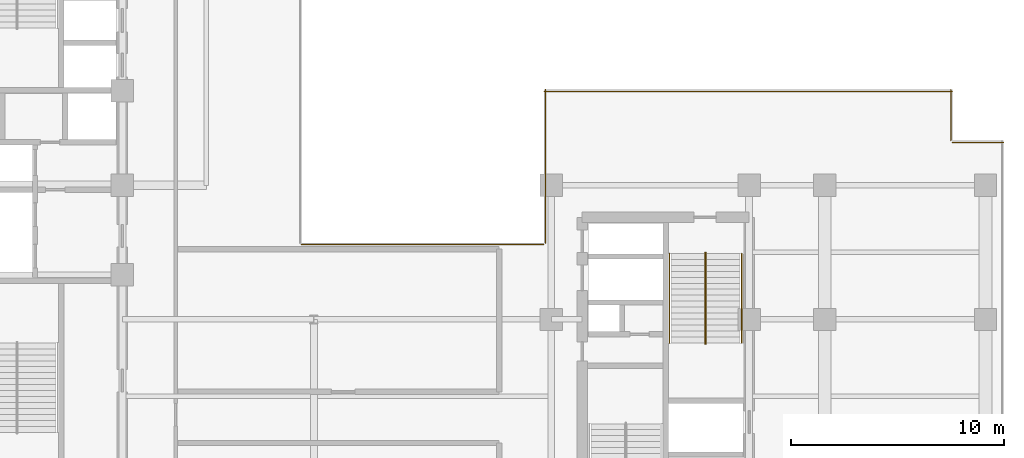
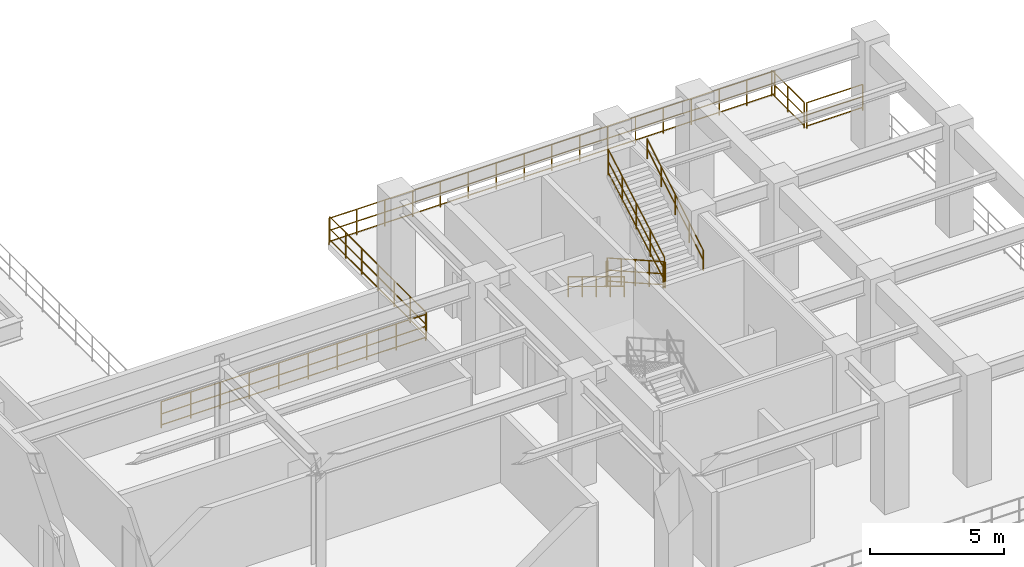
# One storey, part 14 of 16: 11 railings.
"""IFC4 building model written with IfcOpenShell, lengths in metres."""

import ifcopenshell
import ifcopenshell.guid

model = None  # the IFC model being written
_history = None  # IfcOwnerHistory: only IFC2X3 demands one
_inside = {}  # id of a spatial element -> (the spatial element, [elements in it])
_under = {}  # id of a project, library or spatial element -> (it, [spatial elements below it])
_declared = {}  # id of a project -> (the project, [libraries it declares])
_typed = {}  # id of a type object -> (the type object, [elements of that type])
_made_of = {}  # id of a material, layer set ... -> (it, [elements and type objects made of it])


def new_model(schema):
    """Start an empty IFC model of exactly this schema.

    Asked for "IFC4X3", IfcOpenShell would pick the latest addendum, in which some entities
    have other attributes; the version numbers below select the first issue.
    IFC2X3 requires an IfcOwnerHistory on every rooted entity: one is made here for all.
    """
    global model, _history
    if schema == "IFC4X3":
        model = ifcopenshell.file(schema_version=(4, 3, 0, 0))
    else:
        model = ifcopenshell.file(schema=schema)
    _inside.clear()
    _under.clear()
    _declared.clear()
    _typed.clear()
    _made_of.clear()
    _history = None
    if model.schema == "IFC2X3":
        org = make("IfcOrganization", Name="unknown")
        user = make(
            "IfcPersonAndOrganization",
            ThePerson=make("IfcPerson", FamilyName="unknown"),
            TheOrganization=org,
        )
        app = make(
            "IfcApplication",
            ApplicationDeveloper=org,
            Version="unknown",
            ApplicationFullName="unknown",
            ApplicationIdentifier="unknown",
        )
        _history = make(
            "IfcOwnerHistory",
            OwningUser=user,
            OwningApplication=app,
            ChangeAction="ADDED",
            CreationDate=0,
        )
    return model


def make(cls, **values):
    """One entity of the class cls with the attributes given. An attribute that is None is left unset."""
    return model.create_entity(
        cls, **{name: value for name, value in values.items() if value is not None}
    )


def entity(cls, *values):
    """Any entity or typed value of the class cls, its attributes in the order of the schema. None: left unset."""
    e = model.create_entity(cls)
    for i, value in enumerate(values):
        if value is not None:
            e[i] = value
    return e


def rooted(cls, **values):
    """An entity with a GlobalId (a new one), such as an element, a storey or a relation."""
    return make(cls, GlobalId=ifcopenshell.guid.new(), OwnerHistory=_history, **values)


def si_unit(unit_type, name, prefix=None):
    """IfcSIUnit, for example si_unit("LENGTHUNIT", "METRE", prefix="MILLI")."""
    return make("IfcSIUnit", UnitType=unit_type, Prefix=prefix, Name=name)


def converted_unit(unit_type, name, factor, base, dimensions=None, offset=None):
    """IfcConversionBasedUnit, such as the inch: factor (a typed value) times the base unit."""
    return make(
        "IfcConversionBasedUnit"
        if offset is None
        else "IfcConversionBasedUnitWithOffset",
        ConversionOffset=offset,
        Dimensions=None
        if dimensions is None
        else entity("IfcDimensionalExponents", *dimensions),
        UnitType=unit_type,
        Name=name,
        ConversionFactor=make(
            "IfcMeasureWithUnit", ValueComponent=factor, UnitComponent=base
        ),
    )


def assignment(units):
    """IfcUnitAssignment: the units of a project."""
    return None if units is None else make("IfcUnitAssignment", Units=units)


def point(xyz):
    """IfcCartesianPoint."""
    return None if xyz is None else make("IfcCartesianPoint", Coordinates=xyz)


def direction(xyz):
    """IfcDirection."""
    return None if xyz is None else make("IfcDirection", DirectionRatios=xyz)


def frame(location, z_axis=None, x_axis=None):
    """IfcAxis2Placement3D, a coordinate frame: its origin and axes. An axis left out is left unset."""
    return make(
        "IfcAxis2Placement3D",
        Location=point(location),
        Axis=direction(z_axis),
        RefDirection=direction(x_axis),
    )


def frame_2d(location, x_axis=None):
    """IfcAxis2Placement2D, a coordinate frame in the plane: its origin and x axis."""
    return make(
        "IfcAxis2Placement2D", Location=point(location), RefDirection=direction(x_axis)
    )


def origin_with_axes():
    """The frame at (0, 0, 0) with the z axis (0, 0, 1) and the x axis (1, 0, 0) written out."""
    return frame((0.0, 0.0, 0.0), z_axis=(0.0, 0.0, 1.0), x_axis=(1.0, 0.0, 0.0))


def origin_2d_with_axis():
    """The frame at (0, 0) in the plane with the x axis (1, 0) written out."""
    return frame_2d((0.0, 0.0), x_axis=(1.0, 0.0))


def place(relative_to, where):
    """IfcLocalPlacement: puts the frame where relative to a parent placement (None: the world)."""
    return make(
        "IfcLocalPlacement", PlacementRelTo=relative_to, RelativePlacement=where
    )


def context(
    kind, dimensions, precision=None, world=None, true_north=None, identifier=None
):
    """IfcGeometricRepresentationContext, for example the 3D "Model" context."""
    return make(
        "IfcGeometricRepresentationContext",
        ContextIdentifier=identifier,
        ContextType=kind,
        CoordinateSpaceDimension=dimensions,
        Precision=precision,
        WorldCoordinateSystem=world,
        TrueNorth=true_north,
    )


def subcontext(parent, identifier, kind, view, scale=None):
    """IfcGeometricRepresentationSubContext, for example "Body" below "Model"."""
    return make(
        "IfcGeometricRepresentationSubContext",
        ContextIdentifier=identifier,
        ContextType=kind,
        ParentContext=parent,
        TargetScale=scale,
        TargetView=view,
    )


def project(units=None, contexts=None):
    """IfcProject with its units and contexts."""
    return rooted(
        "IfcProject",
        Name="project",
        RepresentationContexts=contexts,
        UnitsInContext=assignment(units),
    )


def spatial(cls, under=None, at=None, **own):
    """A site, building, storey or space (cls), placed at a placement, below another one or the project."""
    s = rooted(cls, ObjectPlacement=at, **own)
    if under is not None:
        _under.setdefault(under.id(), (under, []))[1].append(s)
    return s


def profile(cls, at=None, kind="AREA", **sizes):
    """A parametric profile (cls). Its sizes go by their IFC names, for example OverallWidth=200.0."""
    return make(cls, ProfileType=kind, Position=at, **sizes)


def rectangle(**sizes):
    """IfcRectangleProfileDef."""
    return profile("IfcRectangleProfileDef", **sizes)


def circle(**sizes):
    """IfcCircleProfileDef."""
    return profile("IfcCircleProfileDef", **sizes)


def extrude(swept, where, along, depth):
    """IfcExtrudedAreaSolid: the profile swept, set in the frame where, extruded along a direction by depth."""
    return make(
        "IfcExtrudedAreaSolid",
        SweptArea=swept,
        Position=where,
        ExtrudedDirection=direction(along),
        Depth=depth,
    )


def shape(context_of_items, identifier, shape_type, items):
    """IfcShapeRepresentation: the items that make up one representation, for example the "Body"."""
    return make(
        "IfcShapeRepresentation",
        ContextOfItems=context_of_items,
        RepresentationIdentifier=identifier,
        RepresentationType=shape_type,
        Items=items,
    )


def material(Name=None, Category=None):
    """IfcMaterial."""
    return make("IfcMaterial", Name=Name, Category=Category)


def made_of(thing, what):
    """Note that an element or type object is made of a material, layer set ...; save() writes the relation."""
    if what is not None:
        _made_of.setdefault(what.id(), (what, []))[1].append(thing)
    return thing


def type_object(cls, material=None, **own):
    """A type object (cls), such as IfcWallType, which elements share."""
    return made_of(rooted(cls, **own), material)


def element(
    cls,
    number,
    at=None,
    inside=None,
    cuts=None,
    type_object=None,
    material=None,
    context=None,
    identifier="Body",
    shape_type=None,
    held_by="IfcProductDefinitionShape",
    body=None,
    shapes=None,
    **own,
):
    """One element of the class cls, such as IfcWall. Its Tag is "e" and its number.

    at: its placement. inside: the storey or other place that contains it. cuts: it is an
    opening in that element (IfcRelVoidsElement). A single representation is given by context,
    identifier, shape_type and body (its items); several are given by shapes. held_by: the class
    of the entity that holds the representations. save() writes the other relations.
    """
    e = rooted(cls, Tag="e%d" % number, ObjectPlacement=at, **own)
    if body is not None:
        shapes = [shape(context, identifier, shape_type, body)]
    if shapes is not None:
        e.Representation = make(held_by, Representations=shapes)
    if inside is not None:
        _inside.setdefault(inside.id(), (inside, []))[1].append(e)
    if cuts is not None:
        rooted(
            "IfcRelVoidsElement", RelatingBuildingElement=cuts, RelatedOpeningElement=e
        )
    if type_object is not None:
        _typed.setdefault(type_object.id(), (type_object, []))[1].append(e)
    return made_of(e, material)


def aggregate(whole, parts):
    """IfcRelAggregates: a whole, such as a stair, and the parts it consists of."""
    return rooted("IfcRelAggregates", RelatingObject=whole, RelatedObjects=parts)


def save(model, path):
    """Write the relations noted so far, then the file.

    IfcRelAggregates (storeys below a building ...), IfcRelContainedInSpatialStructure (elements
    in a storey), IfcRelDefinesByType, IfcRelAssociatesMaterial and IfcRelDeclares: one each for
    every whole, place, type object, material and project.
    """
    for whole, parts in _under.values():
        aggregate(whole, parts)
    for where, things in _inside.values():
        rooted(
            "IfcRelContainedInSpatialStructure",
            RelatedElements=things,
            RelatingStructure=where,
        )
    for kind, things in _typed.values():
        rooted("IfcRelDefinesByType", RelatedObjects=things, RelatingType=kind)
    for what, things in _made_of.values():
        rooted("IfcRelAssociatesMaterial", RelatedObjects=things, RelatingMaterial=what)
    for by, libraries in _declared.values():
        rooted("IfcRelDeclares", RelatingContext=by, RelatedDefinitions=libraries)
    model.write(path)


model = new_model("IFC4")

# Units and contexts
model_context = context("Model", 3, precision=1e-05, world=origin_with_axes(), true_north=direction((0.0, 1.0)))
body_context = subcontext(model_context, "Body", "Model", "MODEL_VIEW")
ifc_project = project(units=[si_unit("LENGTHUNIT", "METRE"), si_unit("AREAUNIT", "SQUARE_METRE"), si_unit("VOLUMEUNIT", "CUBIC_METRE"), converted_unit("PLANEANGLEUNIT", "DEGREE", entity("IfcPlaneAngleMeasure", 0.017453292519943295), si_unit("PLANEANGLEUNIT", "RADIAN"), dimensions=[0, 0, 0, 0, 0, 0, 0]), si_unit("MASSUNIT", "GRAM", prefix="KILO"), si_unit("THERMODYNAMICTEMPERATUREUNIT", "KELVIN")], contexts=[model_context])

# Site, building, storey
site_placement = place(None, origin_with_axes())
site = spatial("IfcSite", under=ifc_project, at=site_placement, CompositionType="ELEMENT")
building_placement = place(site_placement, origin_with_axes())
building = spatial("IfcBuilding", under=site, at=building_placement, Name="Varnlund Millrace Tower", CompositionType="ELEMENT")
storey_placement = place(building_placement, frame((0.0, 0.0, 187.5), z_axis=(0.0, 0.0, 1.0), x_axis=(1.0, 0.0, 0.0)))
storey = spatial("IfcBuildingStorey", under=building, at=storey_placement, Name="L46", CompositionType="ELEMENT", Elevation=187.5)

# Railings
ifc_material_1 = material(Name="Architectural bronze balustrade guard", Category="aluminium")
railing_type_1 = type_object("IfcRailingType", Name="Type-Guard-Perimeter-1150", PredefinedType="BALUSTRADE", material=ifc_material_1)
railing_1_placement = place(storey_placement, frame((0.0, 0.0, -187.5), z_axis=(0.0, 0.0, 1.0), x_axis=(1.0, 0.0, 0.0)))
element("IfcRailing", 1, at=railing_1_placement, inside=storey, type_object=railing_type_1, Name="Type-Guard-Perimeter-1150", PredefinedType="BALUSTRADE", context=body_context, shape_type="SweptSolid", body=[
    extrude(circle(Radius=0.024, at=origin_2d_with_axis()), frame((60.0, 26.32, 188.65), z_axis=(-1.0, 0.0, 0.0), x_axis=(0.0, -1.0, 0.0)), (0.0, 0.0, 1.0), 2.4),
    extrude(circle(Radius=0.024, at=origin_2d_with_axis()), frame((60.0, 26.32, 187.6), z_axis=(-1.0, 0.0, 0.0), x_axis=(0.0, -1.0, 0.0)), (0.0, 0.0, 1.0), 2.4),
    extrude(circle(Radius=0.024, at=origin_2d_with_axis()), frame((60.0, 26.32, 188.098), z_axis=(-1.0, 0.0, 0.0), x_axis=(0.0, -1.0, 0.0)), (0.0, 0.0, 1.0), 2.4),
    extrude(rectangle(XDim=0.04, YDim=0.04, at=origin_2d_with_axis()), frame((60.0, 26.32, 187.46), z_axis=(0.0, 0.0, 1.0), x_axis=(1.0, 0.0, 0.0)), (0.0, 0.0, 1.0), 1.19),
    extrude(rectangle(XDim=0.04, YDim=0.04, at=origin_2d_with_axis()), frame((57.6, 26.32, 187.46), z_axis=(0.0, 0.0, 1.0), x_axis=(1.0, 0.0, 0.0)), (0.0, 0.0, 1.0), 1.19),
])
railing_2_placement = place(storey_placement, frame((0.0, 0.0, -187.5), z_axis=(0.0, 0.0, 1.0), x_axis=(1.0, 0.0, 0.0)))
element("IfcRailing", 2, at=railing_2_placement, inside=storey, type_object=railing_type_1, Name="Type-Guard-Perimeter-1150", PredefinedType="BALUSTRADE", context=body_context, shape_type="SweptSolid", body=[
    extrude(circle(Radius=0.024, at=origin_2d_with_axis()), frame((57.52, 26.4, 188.65), z_axis=(0.0, 1.0, 0.0), x_axis=(-1.0, 0.0, 0.0)), (0.0, 0.0, 1.0), 2.4),
    extrude(circle(Radius=0.024, at=origin_2d_with_axis()), frame((57.52, 26.4, 187.6), z_axis=(0.0, 1.0, 0.0), x_axis=(-1.0, 0.0, 0.0)), (0.0, 0.0, 1.0), 2.4),
    extrude(circle(Radius=0.024, at=origin_2d_with_axis()), frame((57.52, 26.4, 188.098), z_axis=(0.0, 1.0, 0.0), x_axis=(-1.0, 0.0, 0.0)), (0.0, 0.0, 1.0), 2.4),
    extrude(rectangle(XDim=0.04, YDim=0.04, at=origin_2d_with_axis()), frame((57.52, 26.4, 187.46), z_axis=(0.0, 0.0, 1.0), x_axis=(1.0, 0.0, 0.0)), (0.0, 0.0, 1.0), 1.19),
    extrude(rectangle(XDim=0.04, YDim=0.04, at=origin_2d_with_axis()), frame((57.52, 27.6, 187.46), z_axis=(0.0, 0.0, 1.0), x_axis=(1.0, 0.0, 0.0)), (0.0, 0.0, 1.0), 1.19),
    extrude(rectangle(XDim=0.04, YDim=0.04, at=origin_2d_with_axis()), frame((57.52, 28.8, 187.46), z_axis=(0.0, 0.0, 1.0), x_axis=(1.0, 0.0, 0.0)), (0.0, 0.0, 1.0), 1.19),
])
railing_3_placement = place(storey_placement, frame((0.0, 0.0, -187.5), z_axis=(0.0, 0.0, 1.0), x_axis=(1.0, 0.0, 0.0)))
element("IfcRailing", 3, at=railing_3_placement, inside=storey, type_object=railing_type_1, Name="Type-Guard-Perimeter-1150", PredefinedType="BALUSTRADE", context=body_context, shape_type="SweptSolid", body=[
    extrude(circle(Radius=0.024, at=origin_2d_with_axis()), frame((57.6, 28.72, 188.65), z_axis=(-1.0, 0.0, 0.0), x_axis=(0.0, -1.0, 0.0)), (0.0, 0.0, 1.0), 19.2),
    extrude(circle(Radius=0.024, at=origin_2d_with_axis()), frame((57.6, 28.72, 187.6), z_axis=(-1.0, 0.0, 0.0), x_axis=(0.0, -1.0, 0.0)), (0.0, 0.0, 1.0), 19.2),
    extrude(circle(Radius=0.024, at=origin_2d_with_axis()), frame((57.6, 28.72, 188.098), z_axis=(-1.0, 0.0, 0.0), x_axis=(0.0, -1.0, 0.0)), (0.0, 0.0, 1.0), 19.2),
    extrude(rectangle(XDim=0.04, YDim=0.04, at=origin_2d_with_axis()), frame((57.6, 28.72, 187.46), z_axis=(0.0, 0.0, 1.0), x_axis=(1.0, 0.0, 0.0)), (0.0, 0.0, 1.0), 1.19),
    extrude(rectangle(XDim=0.04, YDim=0.04, at=origin_2d_with_axis()), frame((56.4, 28.72, 187.46), z_axis=(0.0, 0.0, 1.0), x_axis=(1.0, 0.0, 0.0)), (0.0, 0.0, 1.0), 1.19),
    extrude(rectangle(XDim=0.04, YDim=0.04, at=origin_2d_with_axis()), frame((55.2, 28.72, 187.46), z_axis=(0.0, 0.0, 1.0), x_axis=(1.0, 0.0, 0.0)), (0.0, 0.0, 1.0), 1.19),
    extrude(rectangle(XDim=0.04, YDim=0.04, at=origin_2d_with_axis()), frame((54.0, 28.72, 187.46), z_axis=(0.0, 0.0, 1.0), x_axis=(1.0, 0.0, 0.0)), (0.0, 0.0, 1.0), 1.19),
    extrude(rectangle(XDim=0.04, YDim=0.04, at=origin_2d_with_axis()), frame((52.8, 28.72, 187.46), z_axis=(0.0, 0.0, 1.0), x_axis=(1.0, 0.0, 0.0)), (0.0, 0.0, 1.0), 1.19),
    extrude(rectangle(XDim=0.04, YDim=0.04, at=origin_2d_with_axis()), frame((51.6, 28.72, 187.46), z_axis=(0.0, 0.0, 1.0), x_axis=(1.0, 0.0, 0.0)), (0.0, 0.0, 1.0), 1.19),
    extrude(rectangle(XDim=0.04, YDim=0.04, at=origin_2d_with_axis()), frame((50.4, 28.72, 187.46), z_axis=(0.0, 0.0, 1.0), x_axis=(1.0, 0.0, 0.0)), (0.0, 0.0, 1.0), 1.19),
    extrude(rectangle(XDim=0.04, YDim=0.04, at=origin_2d_with_axis()), frame((49.2, 28.72, 187.46), z_axis=(0.0, 0.0, 1.0), x_axis=(1.0, 0.0, 0.0)), (0.0, 0.0, 1.0), 1.19),
    extrude(rectangle(XDim=0.04, YDim=0.04, at=origin_2d_with_axis()), frame((48.0, 28.72, 187.46), z_axis=(0.0, 0.0, 1.0), x_axis=(1.0, 0.0, 0.0)), (0.0, 0.0, 1.0), 1.19),
    extrude(rectangle(XDim=0.04, YDim=0.04, at=origin_2d_with_axis()), frame((46.8, 28.72, 187.46), z_axis=(0.0, 0.0, 1.0), x_axis=(1.0, 0.0, 0.0)), (0.0, 0.0, 1.0), 1.19),
    extrude(rectangle(XDim=0.04, YDim=0.04, at=origin_2d_with_axis()), frame((45.6, 28.72, 187.46), z_axis=(0.0, 0.0, 1.0), x_axis=(1.0, 0.0, 0.0)), (0.0, 0.0, 1.0), 1.19),
    extrude(rectangle(XDim=0.04, YDim=0.04, at=origin_2d_with_axis()), frame((44.4, 28.72, 187.46), z_axis=(0.0, 0.0, 1.0), x_axis=(1.0, 0.0, 0.0)), (0.0, 0.0, 1.0), 1.19),
    extrude(rectangle(XDim=0.04, YDim=0.04, at=origin_2d_with_axis()), frame((43.2, 28.72, 187.46), z_axis=(0.0, 0.0, 1.0), x_axis=(1.0, 0.0, 0.0)), (0.0, 0.0, 1.0), 1.19),
    extrude(rectangle(XDim=0.04, YDim=0.04, at=origin_2d_with_axis()), frame((42.0, 28.72, 187.46), z_axis=(0.0, 0.0, 1.0), x_axis=(1.0, 0.0, 0.0)), (0.0, 0.0, 1.0), 1.19),
    extrude(rectangle(XDim=0.04, YDim=0.04, at=origin_2d_with_axis()), frame((40.8, 28.72, 187.46), z_axis=(0.0, 0.0, 1.0), x_axis=(1.0, 0.0, 0.0)), (0.0, 0.0, 1.0), 1.19),
    extrude(rectangle(XDim=0.04, YDim=0.04, at=origin_2d_with_axis()), frame((39.6, 28.72, 187.46), z_axis=(0.0, 0.0, 1.0), x_axis=(1.0, 0.0, 0.0)), (0.0, 0.0, 1.0), 1.19),
    extrude(rectangle(XDim=0.04, YDim=0.04, at=origin_2d_with_axis()), frame((38.4, 28.72, 187.46), z_axis=(0.0, 0.0, 1.0), x_axis=(1.0, 0.0, 0.0)), (0.0, 0.0, 1.0), 1.19),
])
railing_4_placement = place(storey_placement, frame((0.0, 0.0, -187.5), z_axis=(0.0, 0.0, 1.0), x_axis=(1.0, 0.0, 0.0)))
element("IfcRailing", 4, at=railing_4_placement, inside=storey, type_object=railing_type_1, Name="Type-Guard-Perimeter-1150", PredefinedType="BALUSTRADE", context=body_context, shape_type="SweptSolid", body=[
    extrude(circle(Radius=0.024, at=origin_2d_with_axis()), frame((38.48, 28.8, 188.65), z_axis=(0.0, -1.0, 0.0), x_axis=(1.0, 0.0, 0.0)), (0.0, 0.0, 1.0), 7.2),
    extrude(circle(Radius=0.024, at=origin_2d_with_axis()), frame((38.48, 28.8, 187.6), z_axis=(0.0, -1.0, 0.0), x_axis=(1.0, 0.0, 0.0)), (0.0, 0.0, 1.0), 7.2),
    extrude(circle(Radius=0.024, at=origin_2d_with_axis()), frame((38.48, 28.8, 188.098), z_axis=(0.0, -1.0, 0.0), x_axis=(1.0, 0.0, 0.0)), (0.0, 0.0, 1.0), 7.2),
    extrude(rectangle(XDim=0.04, YDim=0.04, at=origin_2d_with_axis()), frame((38.48, 28.8, 187.46), z_axis=(0.0, 0.0, 1.0), x_axis=(1.0, 0.0, 0.0)), (0.0, 0.0, 1.0), 1.19),
    extrude(rectangle(XDim=0.04, YDim=0.04, at=origin_2d_with_axis()), frame((38.48, 27.6, 187.46), z_axis=(0.0, 0.0, 1.0), x_axis=(1.0, 0.0, 0.0)), (0.0, 0.0, 1.0), 1.19),
    extrude(rectangle(XDim=0.04, YDim=0.04, at=origin_2d_with_axis()), frame((38.48, 26.4, 187.46), z_axis=(0.0, 0.0, 1.0), x_axis=(1.0, 0.0, 0.0)), (0.0, 0.0, 1.0), 1.19),
    extrude(rectangle(XDim=0.04, YDim=0.04, at=origin_2d_with_axis()), frame((38.48, 25.2, 187.46), z_axis=(0.0, 0.0, 1.0), x_axis=(1.0, 0.0, 0.0)), (0.0, 0.0, 1.0), 1.19),
    extrude(rectangle(XDim=0.04, YDim=0.04, at=origin_2d_with_axis()), frame((38.48, 24.0, 187.46), z_axis=(0.0, 0.0, 1.0), x_axis=(1.0, 0.0, 0.0)), (0.0, 0.0, 1.0), 1.19),
    extrude(rectangle(XDim=0.04, YDim=0.04, at=origin_2d_with_axis()), frame((38.48, 22.8, 187.46), z_axis=(0.0, 0.0, 1.0), x_axis=(1.0, 0.0, 0.0)), (0.0, 0.0, 1.0), 1.19),
    extrude(rectangle(XDim=0.04, YDim=0.04, at=origin_2d_with_axis()), frame((38.48, 21.6, 187.46), z_axis=(0.0, 0.0, 1.0), x_axis=(1.0, 0.0, 0.0)), (0.0, 0.0, 1.0), 1.19),
])
railing_5_placement = place(storey_placement, frame((0.0, 0.0, -187.5), z_axis=(0.0, 0.0, 1.0), x_axis=(1.0, 0.0, 0.0)))
element("IfcRailing", 5, at=railing_5_placement, inside=storey, type_object=railing_type_1, Name="Type-Guard-Perimeter-1150", PredefinedType="BALUSTRADE", context=body_context, shape_type="SweptSolid", body=[
    extrude(circle(Radius=0.024, at=origin_2d_with_axis()), frame((38.4, 21.52, 188.65), z_axis=(-1.0, 0.0, 0.0), x_axis=(0.0, -1.0, 0.0)), (0.0, 0.0, 1.0), 11.38),
    extrude(circle(Radius=0.024, at=origin_2d_with_axis()), frame((38.4, 21.52, 187.6), z_axis=(-1.0, 0.0, 0.0), x_axis=(0.0, -1.0, 0.0)), (0.0, 0.0, 1.0), 11.38),
    extrude(circle(Radius=0.024, at=origin_2d_with_axis()), frame((38.4, 21.52, 188.098), z_axis=(-1.0, 0.0, 0.0), x_axis=(0.0, -1.0, 0.0)), (0.0, 0.0, 1.0), 11.38),
    extrude(rectangle(XDim=0.04, YDim=0.04, at=origin_2d_with_axis()), frame((38.4, 21.52, 187.46), z_axis=(0.0, 0.0, 1.0), x_axis=(1.0, 0.0, 0.0)), (0.0, 0.0, 1.0), 1.19),
    extrude(rectangle(XDim=0.04, YDim=0.04, at=origin_2d_with_axis()), frame((37.135556, 21.52, 187.46), z_axis=(0.0, 0.0, 1.0), x_axis=(1.0, 0.0, 0.0)), (0.0, 0.0, 1.0), 1.19),
    extrude(rectangle(XDim=0.04, YDim=0.04, at=origin_2d_with_axis()), frame((35.871111, 21.52, 187.46), z_axis=(0.0, 0.0, 1.0), x_axis=(1.0, 0.0, 0.0)), (0.0, 0.0, 1.0), 1.19),
    extrude(rectangle(XDim=0.04, YDim=0.04, at=origin_2d_with_axis()), frame((34.606667, 21.52, 187.46), z_axis=(0.0, 0.0, 1.0), x_axis=(1.0, 0.0, 0.0)), (0.0, 0.0, 1.0), 1.19),
    extrude(rectangle(XDim=0.04, YDim=0.04, at=origin_2d_with_axis()), frame((33.342222, 21.52, 187.46), z_axis=(0.0, 0.0, 1.0), x_axis=(1.0, 0.0, 0.0)), (0.0, 0.0, 1.0), 1.19),
    extrude(rectangle(XDim=0.04, YDim=0.04, at=origin_2d_with_axis()), frame((32.077778, 21.52, 187.46), z_axis=(0.0, 0.0, 1.0), x_axis=(1.0, 0.0, 0.0)), (0.0, 0.0, 1.0), 1.19),
    extrude(rectangle(XDim=0.04, YDim=0.04, at=origin_2d_with_axis()), frame((30.813333, 21.52, 187.46), z_axis=(0.0, 0.0, 1.0), x_axis=(1.0, 0.0, 0.0)), (0.0, 0.0, 1.0), 1.19),
    extrude(rectangle(XDim=0.04, YDim=0.04, at=origin_2d_with_axis()), frame((29.548889, 21.52, 187.46), z_axis=(0.0, 0.0, 1.0), x_axis=(1.0, 0.0, 0.0)), (0.0, 0.0, 1.0), 1.19),
    extrude(rectangle(XDim=0.04, YDim=0.04, at=origin_2d_with_axis()), frame((28.284444, 21.52, 187.46), z_axis=(0.0, 0.0, 1.0), x_axis=(1.0, 0.0, 0.0)), (0.0, 0.0, 1.0), 1.19),
    extrude(rectangle(XDim=0.04, YDim=0.04, at=origin_2d_with_axis()), frame((27.02, 21.52, 187.46), z_axis=(0.0, 0.0, 1.0), x_axis=(1.0, 0.0, 0.0)), (0.0, 0.0, 1.0), 1.19),
])
ifc_material_2 = material(Name="Painted steel stair well balustrade guard", Category="steel")
railing_type_2 = type_object("IfcRailingType", Name="Type-StairGuard-1150", PredefinedType="GUARDRAIL", material=ifc_material_2)
railing_6_placement = place(storey_placement, frame((0.0, 0.0, -187.5), z_axis=(0.0, 0.0, 1.0), x_axis=(1.0, 0.0, 0.0)))
element("IfcRailing", 6, at=railing_6_placement, inside=storey, type_object=railing_type_2, Name="Type-StairGuard-1150", PredefinedType="GUARDRAIL", context=body_context, shape_type="SweptSolid", body=[
    extrude(circle(Radius=0.024, at=origin_2d_with_axis()), frame((45.975, 21.1, 188.82), z_axis=(0.0, -0.870022, 0.493013), x_axis=(1.0, 0.0, 0.0)), (0.0, 0.0, 1.0), 4.827463),
    extrude(circle(Radius=0.024, at=origin_2d_with_axis()), frame((45.975, 21.1, 187.77), z_axis=(0.0, -0.870022, 0.493013), x_axis=(1.0, 0.0, 0.0)), (0.0, 0.0, 1.0), 4.827463),
    extrude(circle(Radius=0.024, at=origin_2d_with_axis()), frame((45.975, 21.1, 188.268), z_axis=(0.0, -0.870022, 0.493013), x_axis=(1.0, 0.0, 0.0)), (0.0, 0.0, 1.0), 4.827463),
    extrude(rectangle(XDim=0.04, YDim=0.04, at=origin_2d_with_axis()), frame((45.975, 21.1, 187.63), z_axis=(0.0, 0.0, 1.0), x_axis=(1.0, 0.0, 0.0)), (0.0, 0.0, 1.0), 1.19),
    extrude(rectangle(XDim=0.04, YDim=0.04, at=origin_2d_with_axis()), frame((45.975, 20.05, 188.225), z_axis=(0.0, 0.0, 1.0), x_axis=(1.0, 0.0, 0.0)), (0.0, 0.0, 1.0), 1.19),
    extrude(rectangle(XDim=0.04, YDim=0.04, at=origin_2d_with_axis()), frame((45.975, 19.0, 188.82), z_axis=(0.0, 0.0, 1.0), x_axis=(1.0, 0.0, 0.0)), (0.0, 0.0, 1.0), 1.19),
    extrude(rectangle(XDim=0.04, YDim=0.04, at=origin_2d_with_axis()), frame((45.975, 17.95, 189.415), z_axis=(0.0, 0.0, 1.0), x_axis=(1.0, 0.0, 0.0)), (0.0, 0.0, 1.0), 1.19),
    extrude(rectangle(XDim=0.04, YDim=0.04, at=origin_2d_with_axis()), frame((45.975, 16.9, 190.01), z_axis=(0.0, 0.0, 1.0), x_axis=(1.0, 0.0, 0.0)), (0.0, 0.0, 1.0), 1.19),
])
railing_7_placement = place(storey_placement, frame((0.0, 0.0, -187.5), z_axis=(0.0, 0.0, 1.0), x_axis=(1.0, 0.0, 0.0)))
element("IfcRailing", 7, at=railing_7_placement, inside=storey, type_object=railing_type_2, Name="Type-StairGuard-1150", PredefinedType="GUARDRAIL", context=body_context, shape_type="SweptSolid", body=[
    extrude(circle(Radius=0.024, at=origin_2d_with_axis()), frame((46.025, 16.85, 191.2), z_axis=(-1.0, 0.0, 0.0), x_axis=(0.0, -1.0, 0.0)), (0.0, 0.0, 1.0), 0.05),
    extrude(circle(Radius=0.024, at=origin_2d_with_axis()), frame((46.025, 16.85, 190.15), z_axis=(-1.0, 0.0, 0.0), x_axis=(0.0, -1.0, 0.0)), (0.0, 0.0, 1.0), 0.05),
    extrude(circle(Radius=0.024, at=origin_2d_with_axis()), frame((46.025, 16.85, 190.648), z_axis=(-1.0, 0.0, 0.0), x_axis=(0.0, -1.0, 0.0)), (0.0, 0.0, 1.0), 0.05),
    extrude(rectangle(XDim=0.04, YDim=0.04, at=origin_2d_with_axis()), frame((46.025, 16.85, 190.01), z_axis=(0.0, 0.0, 1.0), x_axis=(1.0, 0.0, 0.0)), (0.0, 0.0, 1.0), 1.19),
    extrude(rectangle(XDim=0.04, YDim=0.04, at=origin_2d_with_axis()), frame((45.975, 16.85, 190.01), z_axis=(0.0, 0.0, 1.0), x_axis=(1.0, 0.0, 0.0)), (0.0, 0.0, 1.0), 1.19),
])
railing_8_placement = place(storey_placement, frame((0.0, 0.0, -187.5), z_axis=(0.0, 0.0, 1.0), x_axis=(1.0, 0.0, 0.0)))
element("IfcRailing", 8, at=railing_8_placement, inside=storey, type_object=railing_type_2, Name="Type-StairGuard-1150", PredefinedType="GUARDRAIL", context=body_context, shape_type="SweptSolid", body=[
    extrude(circle(Radius=0.024, at=origin_2d_with_axis()), frame((46.025, 16.9, 191.37), z_axis=(0.0, 0.870022, 0.493013), x_axis=(-1.0, 0.0, 0.0)), (0.0, 0.0, 1.0), 4.827463),
    extrude(circle(Radius=0.024, at=origin_2d_with_axis()), frame((46.025, 16.9, 190.32), z_axis=(0.0, 0.870022, 0.493013), x_axis=(-1.0, 0.0, 0.0)), (0.0, 0.0, 1.0), 4.827463),
    extrude(circle(Radius=0.024, at=origin_2d_with_axis()), frame((46.025, 16.9, 190.818), z_axis=(0.0, 0.870022, 0.493013), x_axis=(-1.0, 0.0, 0.0)), (0.0, 0.0, 1.0), 4.827463),
    extrude(rectangle(XDim=0.04, YDim=0.04, at=origin_2d_with_axis()), frame((46.025, 16.9, 190.18), z_axis=(0.0, 0.0, 1.0), x_axis=(1.0, 0.0, 0.0)), (0.0, 0.0, 1.0), 1.19),
    extrude(rectangle(XDim=0.04, YDim=0.04, at=origin_2d_with_axis()), frame((46.025, 17.95, 190.775), z_axis=(0.0, 0.0, 1.0), x_axis=(1.0, 0.0, 0.0)), (0.0, 0.0, 1.0), 1.19),
    extrude(rectangle(XDim=0.04, YDim=0.04, at=origin_2d_with_axis()), frame((46.025, 19.0, 191.37), z_axis=(0.0, 0.0, 1.0), x_axis=(1.0, 0.0, 0.0)), (0.0, 0.0, 1.0), 1.19),
    extrude(rectangle(XDim=0.04, YDim=0.04, at=origin_2d_with_axis()), frame((46.025, 20.05, 191.965), z_axis=(0.0, 0.0, 1.0), x_axis=(1.0, 0.0, 0.0)), (0.0, 0.0, 1.0), 1.19),
    extrude(rectangle(XDim=0.04, YDim=0.04, at=origin_2d_with_axis()), frame((46.025, 21.1, 192.56), z_axis=(0.0, 0.0, 1.0), x_axis=(1.0, 0.0, 0.0)), (0.0, 0.0, 1.0), 1.19),
])
railing_9_placement = place(storey_placement, frame((0.0, 0.0, -187.5), z_axis=(0.0, 0.0, 1.0), x_axis=(1.0, 0.0, 0.0)))
element("IfcRailing", 9, at=railing_9_placement, inside=storey, type_object=railing_type_2, Name="Type-StairGuard-1150", PredefinedType="GUARDRAIL", context=body_context, shape_type="SweptSolid", body=[
    extrude(circle(Radius=0.024, at=origin_2d_with_axis()), frame((46.025, 21.15, 188.65), z_axis=(-1.0, 0.0, 0.0), x_axis=(0.0, -1.0, 0.0)), (0.0, 0.0, 1.0), 0.05),
    extrude(circle(Radius=0.024, at=origin_2d_with_axis()), frame((46.025, 21.15, 187.6), z_axis=(-1.0, 0.0, 0.0), x_axis=(0.0, -1.0, 0.0)), (0.0, 0.0, 1.0), 0.05),
    extrude(circle(Radius=0.024, at=origin_2d_with_axis()), frame((46.025, 21.15, 188.098), z_axis=(-1.0, 0.0, 0.0), x_axis=(0.0, -1.0, 0.0)), (0.0, 0.0, 1.0), 0.05),
    extrude(rectangle(XDim=0.04, YDim=0.04, at=origin_2d_with_axis()), frame((46.025, 21.15, 187.46), z_axis=(0.0, 0.0, 1.0), x_axis=(1.0, 0.0, 0.0)), (0.0, 0.0, 1.0), 1.19),
    extrude(rectangle(XDim=0.04, YDim=0.04, at=origin_2d_with_axis()), frame((45.975, 21.15, 187.46), z_axis=(0.0, 0.0, 1.0), x_axis=(1.0, 0.0, 0.0)), (0.0, 0.0, 1.0), 1.19),
])
ifc_material_3 = material(Name="Brushed architectural bronze stair handrail", Category="aluminium")
railing_type_3 = type_object("IfcRailingType", Name="Type-StairHandrail-900", PredefinedType="HANDRAIL", material=ifc_material_3)
railing_10_placement = place(storey_placement, frame((0.0, 0.0, -187.5), z_axis=(0.0, 0.0, 1.0), x_axis=(1.0, 0.0, 0.0)))
element("IfcRailing", 10, at=railing_10_placement, inside=storey, type_object=railing_type_3, Name="Type-StairHandrail-900", PredefinedType="HANDRAIL", context=body_context, shape_type="SweptSolid", body=[
    extrude(circle(Radius=0.024, at=origin_2d_with_axis()), frame((44.3, 21.1, 188.549485), z_axis=(0.0, -0.854788, 0.518978), x_axis=(1.0, 0.0, 0.0)), (0.0, 0.0, 1.0), 4.913502),
    extrude(circle(Radius=0.024, at=origin_2d_with_axis()), frame((44.3, 21.1, 188.109743), z_axis=(0.0, -0.854788, 0.518978), x_axis=(1.0, 0.0, 0.0)), (0.0, 0.0, 1.0), 4.913502),
    extrude(rectangle(XDim=0.04, YDim=0.04, at=origin_2d_with_axis()), frame((44.3, 21.1, 187.63), z_axis=(0.0, 0.0, 1.0), x_axis=(1.0, 0.0, 0.0)), (0.0, 0.0, 1.0), 0.919485),
    extrude(rectangle(XDim=0.04, YDim=0.04, at=origin_2d_with_axis()), frame((44.3, 20.05, 188.2675), z_axis=(0.0, 0.0, 1.0), x_axis=(1.0, 0.0, 0.0)), (0.0, 0.0, 1.0), 0.919485),
    extrude(rectangle(XDim=0.04, YDim=0.04, at=origin_2d_with_axis()), frame((44.3, 19.0, 188.905), z_axis=(0.0, 0.0, 1.0), x_axis=(1.0, 0.0, 0.0)), (0.0, 0.0, 1.0), 0.919485),
    extrude(rectangle(XDim=0.04, YDim=0.04, at=origin_2d_with_axis()), frame((44.3, 17.95, 189.5425), z_axis=(0.0, 0.0, 1.0), x_axis=(1.0, 0.0, 0.0)), (0.0, 0.0, 1.0), 0.919485),
    extrude(rectangle(XDim=0.04, YDim=0.04, at=origin_2d_with_axis()), frame((44.3, 16.9, 190.18), z_axis=(0.0, 0.0, 1.0), x_axis=(1.0, 0.0, 0.0)), (0.0, 0.0, 1.0), 0.919485),
])
railing_11_placement = place(storey_placement, frame((0.0, 0.0, -187.5), z_axis=(0.0, 0.0, 1.0), x_axis=(1.0, 0.0, 0.0)))
element("IfcRailing", 11, at=railing_11_placement, inside=storey, type_object=railing_type_3, Name="Type-StairHandrail-900", PredefinedType="HANDRAIL", context=body_context, shape_type="SweptSolid", body=[
    extrude(circle(Radius=0.024, at=origin_2d_with_axis()), frame((47.7, 16.9, 191.099485), z_axis=(0.0, 0.854788, 0.518978), x_axis=(-1.0, 0.0, 0.0)), (0.0, 0.0, 1.0), 4.913502),
    extrude(circle(Radius=0.024, at=origin_2d_with_axis()), frame((47.7, 16.9, 190.659743), z_axis=(0.0, 0.854788, 0.518978), x_axis=(-1.0, 0.0, 0.0)), (0.0, 0.0, 1.0), 4.913502),
    extrude(rectangle(XDim=0.04, YDim=0.04, at=origin_2d_with_axis()), frame((47.7, 16.9, 190.18), z_axis=(0.0, 0.0, 1.0), x_axis=(1.0, 0.0, 0.0)), (0.0, 0.0, 1.0), 0.919485),
    extrude(rectangle(XDim=0.04, YDim=0.04, at=origin_2d_with_axis()), frame((47.7, 17.95, 190.8175), z_axis=(0.0, 0.0, 1.0), x_axis=(1.0, 0.0, 0.0)), (0.0, 0.0, 1.0), 0.919485),
    extrude(rectangle(XDim=0.04, YDim=0.04, at=origin_2d_with_axis()), frame((47.7, 19.0, 191.455), z_axis=(0.0, 0.0, 1.0), x_axis=(1.0, 0.0, 0.0)), (0.0, 0.0, 1.0), 0.919485),
    extrude(rectangle(XDim=0.04, YDim=0.04, at=origin_2d_with_axis()), frame((47.7, 20.05, 192.0925), z_axis=(0.0, 0.0, 1.0), x_axis=(1.0, 0.0, 0.0)), (0.0, 0.0, 1.0), 0.919485),
    extrude(rectangle(XDim=0.04, YDim=0.04, at=origin_2d_with_axis()), frame((47.7, 21.1, 192.73), z_axis=(0.0, 0.0, 1.0), x_axis=(1.0, 0.0, 0.0)), (0.0, 0.0, 1.0), 0.919485),
])

save(model, "model.ifc")
